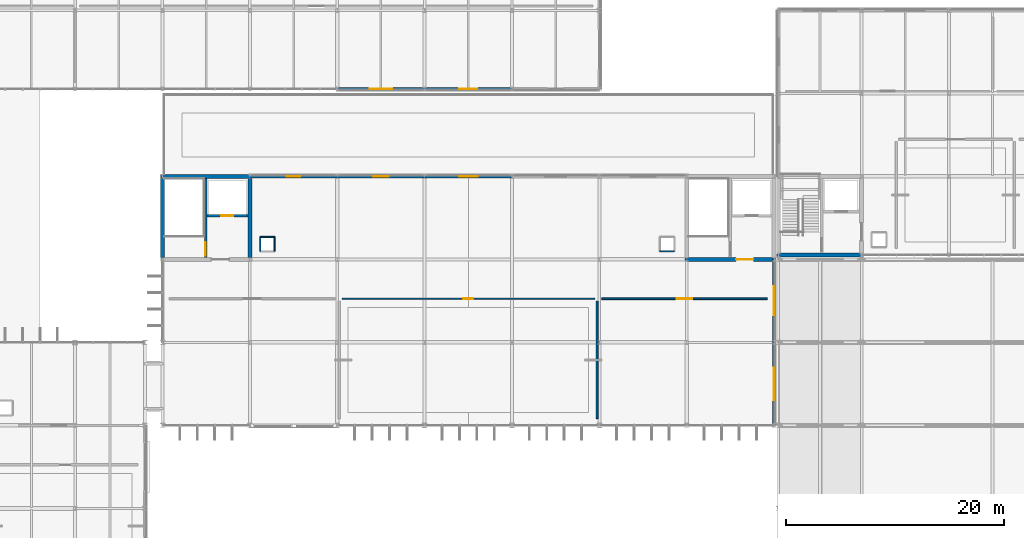
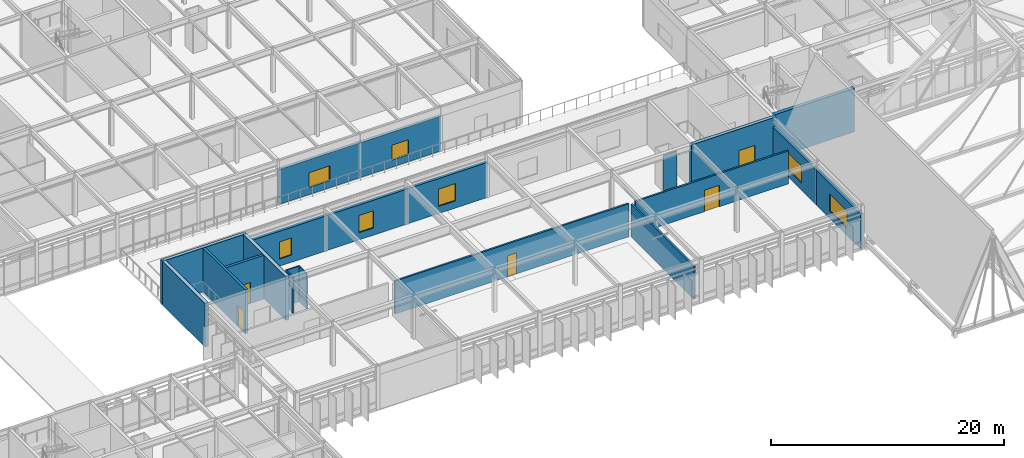
# One storey, part 85 of 100: 21 walls, 7 windows, 5 doors, 12 openings.
"""IFC4 building model written with IfcOpenShell, lengths in metres."""

from ifc_helpers import new_model, si_unit, direction, frame, frame_2d, origin, place, context, subcontext, project, spatial, rectangle, extrude, material, layer, layer_set, type_object, element, fill, save


model = new_model("IFC4")

# Units and contexts
model_context = context("Model", 3, precision=1e-05, world=origin(), true_north=direction((0.0, 1.0)))
body_context = subcontext(model_context, "Body", "Model", "MODEL_VIEW")
ifc_project = project(units=[si_unit("LENGTHUNIT", "METRE"), si_unit("AREAUNIT", "SQUARE_METRE"), si_unit("VOLUMEUNIT", "CUBIC_METRE"), si_unit("PLANEANGLEUNIT", "RADIAN"), si_unit("MASSUNIT", "GRAM", prefix="KILO")], contexts=[model_context])

# Site, building, storey
site_placement = place(None, origin())
site = spatial("IfcSite", under=ifc_project, at=site_placement, CompositionType="ELEMENT")
building_placement = place(site_placement, origin())
building = spatial("IfcBuilding", under=site, at=building_placement, Name="Zulena Civic Courthouse", CompositionType="ELEMENT")
storey_placement = place(building_placement, frame((0.0, 0.0, 20.39990234375)))
storey = spatial("IfcBuildingStorey", under=building, at=storey_placement, Name="L04", CompositionType="ELEMENT", Elevation=20.39990234375)

# Wall, opening, door
ifc_material_1 = material(Name="Concrete C40/50", Category="concrete")
ifc_layer_1 = layer(ifc_material_1, 0.25)
ifc_layer_set_1 = layer_set([ifc_layer_1], Name="Concrete C40/50")
wall_type_1 = type_object("IfcWallType", Name="CoreShearWall_RC250", PredefinedType="SHEAR", material=ifc_layer_set_1)
wall_1_placement = place(storey_placement, frame((71.949951171875, 30.574951171875, 0.0), z_axis=(0.0, 0.0, 1.0), x_axis=(0.0, 1.0, 0.0)))
wall_1 = element("IfcWall", 1, at=wall_1_placement, inside=storey, type_object=wall_type_1, Name="cwall:K4A:L04:DIV", PredefinedType="SHEAR", context=body_context, shape_type="SweptSolid", body=[
    extrude(rectangle(XDim=7.25, YDim=0.25, at=frame_2d((3.625, 0.0))), origin(), (0.0, 0.0, 1.0), 4.590087890625),
])
opening_1_placement = place(wall_1_placement, frame((0.179931640625, 0.0, 0.0)))
opening_1 = element("IfcOpeningElement", 2, at=opening_1_placement, cuts=wall_1, Name="Opening ID07", PredefinedType="OPENING", context=body_context, shape_type="SweptSolid", body=[
    extrude(rectangle(XDim=1.199951171875, YDim=2.199951171875, at=frame_2d((0.60009765625, 1.10009765625))), frame((0.0, 0.135009765625, 0.0), z_axis=(0.0, -1.0, 0.0), x_axis=(1.0, 0.0, 0.0)), (0.0, 0.0, 1.0), 0.27001953125),
])
ifc_material_2 = material(Name="Fire-rated galvanised steel ASTM A653 Grade 50", Category="steel")
door_type_1 = type_object("IfcDoorType", Name="IntDoor_Stair_1200x2200", OperationType="NOTDEFINED", PredefinedType="DOOR", material=ifc_material_2)
door_1_placement = place(opening_1_placement, origin())
door_1 = element("IfcDoor", 3, at=door_1_placement, inside=storey, type_object=door_type_1, Name="door:stair:K4A:L04", OperationType="SINGLE_SWING_LEFT", OverallHeight=2.199951171875, OverallWidth=1.199951171875, PredefinedType="DOOR", context=body_context, shape_type="SweptSolid", body=[
    extrude(rectangle(XDim=1.199951171875, YDim=2.199951171875, at=frame_2d((0.60009765625, 1.10009765625))), frame((0.0, 0.02490234375, 0.0), z_axis=(0.0, -1.0, 0.0), x_axis=(1.0, 0.0, 0.0)), (0.0, 0.0, 1.0), 0.050048828125),
])
fill(opening_1, door_1)

wall_2_placement = place(storey_placement, frame((72.074951171875, 34.39990234375, 0.0), z_axis=(0.0, 0.0, 1.0), x_axis=(1.0, 0.0, 0.0)))
wall_2 = element("IfcWall", 4, at=wall_2_placement, inside=storey, type_object=wall_type_1, Name="cwall:K4A:L04:SHF", PredefinedType="SHEAR", context=body_context, shape_type="SweptSolid", body=[
    extrude(rectangle(XDim=3.75, YDim=0.25, at=frame_2d((1.875, 0.0))), origin(), (0.0, 0.0, 1.0), 4.590087890625),
])
opening_2_placement = place(wall_2_placement, frame((1.320068359375, 0.0, 0.0)))
opening_2 = element("IfcOpeningElement", 5, at=opening_2_placement, cuts=wall_2, Name="Opening LD02", PredefinedType="OPENING", context=body_context, shape_type="SweptSolid", body=[
    extrude(rectangle(XDim=1.10009765625, YDim=2.199951171875, at=frame_2d((0.550048828125, 1.10009765625))), frame((0.0, 0.135009765625, 0.0), z_axis=(0.0, -1.0, 0.0), x_axis=(1.0, 0.0, 0.0)), (0.0, 0.0, 1.0), 0.27001953125),
])
door_type_2 = type_object("IfcDoorType", Name="LiftLandingDoor_Pass_1100x2200", OperationType="SLIDING_TO_LEFT", PredefinedType="DOOR", material=ifc_material_2)
door_2_placement = place(opening_2_placement, origin())
door_2 = element("IfcDoor", 6, at=door_2_placement, inside=storey, type_object=door_type_2, Name="door:ld:PL-03:L04", OperationType="SLIDING_TO_LEFT", OverallHeight=2.199951171875, OverallWidth=1.10009765625, PredefinedType="DOOR", context=body_context, shape_type="SweptSolid", body=[
    extrude(rectangle(XDim=1.10009765625, YDim=2.199951171875, at=frame_2d((0.550048828125, 1.10009765625))), frame((0.0, 0.02490234375, 0.0), z_axis=(0.0, -1.0, 0.0), x_axis=(1.0, 0.0, 0.0)), (0.0, 0.0, 1.0), 0.050048828125),
])
fill(opening_2, door_2)

# Walls
ifc_layer_2 = layer(ifc_material_1, 0.35009765625)
ifc_layer_set_2 = layer_set([ifc_layer_2], Name="Concrete C40/50")
wall_type_2 = type_object("IfcWallType", Name="CoreShearWall_RC350", PredefinedType="SHEAR", material=ifc_layer_set_2)
wall_3_placement = place(storey_placement, frame((124.22509765625, 30.800048828125, 0.0), z_axis=(0.0, 0.0, 1.0), x_axis=(1.0, 0.0, 0.0)))
element("IfcWall", 7, at=wall_3_placement, inside=storey, type_object=wall_type_2, Name="cwall:K3A:L04:S", PredefinedType="SHEAR", context=body_context, shape_type="SweptSolid", body=[
    extrude(rectangle(XDim=7.949951171875, YDim=0.35009765625, at=frame_2d((3.97509765625, 0.0))), origin(), (0.0, 0.0, 1.0), 4.545166015625),
])
wall_4_placement = place(storey_placement, frame((67.824951171875, 38.0, 0.0), z_axis=(0.0, 0.0, 1.0), x_axis=(1.0, 0.0, 0.0)))
element("IfcWall", 8, at=wall_4_placement, inside=storey, type_object=wall_type_2, Name="cwall:K4A:L04:N", PredefinedType="SHEAR", context=body_context, shape_type="SweptSolid", body=[
    extrude(rectangle(XDim=8.35009765625, YDim=0.35009765625, at=frame_2d((4.175048828125, 0.0))), origin(), (0.0, 0.0, 1.0), 4.590087890625),
])
for number, where, z_axis, x_axis, name in (
    (9, (68.0, 30.574951171875, 0.0), (0.0, 0.0, 1.0), (0.0, 1.0, 0.0), "cwall:K4A:L04:W"),
    (10, (76.0, 30.574951171875, 0.0), (0.0, 0.0, 1.0), (0.0, 1.0, 0.0), "cwall:K4A:L04:E"),
):
    element("IfcWall", number, at=place(storey_placement, frame(where, z_axis=z_axis, x_axis=x_axis)), inside=storey, type_object=wall_type_2, Name=name, PredefinedType="SHEAR", context=body_context, shape_type="SweptSolid", body=[
        extrude(rectangle(XDim=7.25, YDim=0.35009765625, at=frame_2d((3.625, 0.0))), origin(), (0.0, 0.0, 1.0), 4.590087890625),
    ])

# Wall, opening, door
wall_5_placement = place(storey_placement, frame((115.824951171875, 30.39990234375, 0.0), z_axis=(0.0, 0.0, 1.0), x_axis=(1.0, 0.0, 0.0)))
wall_5 = element("IfcWall", 11, at=wall_5_placement, inside=storey, type_object=wall_type_2, Name="cwall:K4B:L04:S", PredefinedType="SHEAR", context=body_context, shape_type="SweptSolid", body=[
    extrude(rectangle(XDim=8.35009765625, YDim=0.35009765625, at=frame_2d((4.175048828125, 0.0))), origin(), (0.0, 0.0, 1.0), 4.590087890625),
])
opening_3_placement = place(wall_5_placement, frame((4.68505859375, 0.0, 0.0)))
opening_3 = element("IfcOpeningElement", 12, at=opening_3_placement, cuts=wall_5, Name="Opening ID04", PredefinedType="OPENING", context=body_context, shape_type="SweptSolid", body=[
    extrude(rectangle(XDim=1.60009765625, YDim=2.35009765625, at=frame_2d((0.800048828125, 1.175048828125))), frame((0.0, 0.18505859375, 0.0), z_axis=(0.0, -1.0, 0.0), x_axis=(1.0, 0.0, 0.0)), (0.0, 0.0, 1.0), 0.3701171875),
])
ifc_material_3 = material(Name="Solid-core acoustic hardwood timber", Category="wood")
door_type_3 = type_object("IfcDoorType", Name="IntDoor_CourtPublic_1600x2350", OperationType="DOUBLE_DOOR_SINGLE_SWING", PredefinedType="DOOR", material=ifc_material_3)
door_3_placement = place(opening_3_placement, origin())
door_3 = element("IfcDoor", 13, at=door_3_placement, inside=storey, type_object=door_type_3, Name="door:corelob:K4B:L04", OperationType="DOUBLE_DOOR_SINGLE_SWING", OverallHeight=2.35009765625, OverallWidth=1.60009765625, PredefinedType="DOOR", context=body_context, shape_type="SweptSolid", body=[
    extrude(rectangle(XDim=1.60009765625, YDim=2.35009765625, at=frame_2d((0.800048828125, 1.175048828125))), frame((0.0, 0.02490234375, 0.0), z_axis=(0.0, -1.0, 0.0), x_axis=(1.0, 0.0, 0.0)), (0.0, 0.0, 1.0), 0.050048828125),
])
fill(opening_3, door_3)

# Wall, opening, window
ifc_material_4 = material(Name="Buff architectural precast concrete C40/50", Category="concrete")
ifc_layer_3 = layer(ifc_material_4, 0.264892578125)
ifc_layer_set_3 = layer_set([ifc_layer_3], Name="Buff architectural precast concrete C40/50")
wall_type_3 = type_object("IfcWallType", Name="ExtWall_BuffPrecast_265", PredefinedType="STANDARD", material=ifc_layer_set_3)
wall_6_placement = place(storey_placement, frame((100.02001953125, 46.0, 0.0), z_axis=(0.0, 0.0, 1.0), x_axis=(-1.0, 0.0, 0.0)))
wall_6 = element("IfcWall", 14, at=wall_6_placement, inside=storey, type_object=wall_type_3, Name="ewall:V5:L04:5:1", PredefinedType="STANDARD", context=body_context, shape_type="SweptSolid", body=[
    extrude(rectangle(XDim=8.0400390625, YDim=0.264892578125, at=frame_2d((4.02001953125, 0.0))), origin(), (0.0, 0.0, 1.0), 3.66015625),
])
opening_4_placement = place(wall_6_placement, frame((3.195068359375, 0.0, 0.75)))
opening_4 = element("IfcOpeningElement", 15, at=opening_4_placement, cuts=wall_6, Name="Opening WN25", PredefinedType="OPENING", context=body_context, shape_type="SweptSolid", body=[
    extrude(rectangle(XDim=1.64990234375, YDim=1.550048828125, at=frame_2d((0.824951171875, 0.77490234375))), frame((0.0, 0.142333984375, 0.0), z_axis=(0.0, -1.0, 0.0), x_axis=(1.0, 0.0, 0.0)), (0.0, 0.0, 1.0), 0.284912109375),
])
ifc_material_5 = material(Name="Double-silver low-E laminated solar-control glass", Category="glass")
window_type_1 = type_object("IfcWindowType", Name="Win_1650x1550", PartitioningType="SINGLE_PANEL", PredefinedType="WINDOW", material=ifc_material_5)
window_1_placement = place(opening_4_placement, origin())
window_1 = element("IfcWindow", 16, at=window_1_placement, inside=storey, type_object=window_type_1, Name="win:V5:L04:5:1", OverallHeight=1.550048828125, OverallWidth=1.64990234375, PartitioningType="SINGLE_PANEL", PredefinedType="WINDOW", context=body_context, shape_type="SweptSolid", body=[
    extrude(rectangle(XDim=1.64990234375, YDim=1.550048828125, at=frame_2d((0.824951171875, 0.77490234375))), frame((0.0, 0.030029296875, 0.0), z_axis=(0.0, -1.0, 0.0), x_axis=(1.0, 0.0, 0.0)), (0.0, 0.0, 1.0), 0.06005859375),
])
fill(opening_4, window_1)

wall_7_placement = place(storey_placement, frame((92.02001953125, 46.0, 0.0), z_axis=(0.0, 0.0, 1.0), x_axis=(-1.0, 0.0, 0.0)))
wall_7 = element("IfcWall", 17, at=wall_7_placement, inside=storey, type_object=wall_type_3, Name="ewall:V5:L04:5:2", PredefinedType="STANDARD", context=body_context, shape_type="SweptSolid", body=[
    extrude(rectangle(XDim=8.0400390625, YDim=0.264892578125, at=frame_2d((4.02001953125, 0.0))), origin(), (0.0, 0.0, 1.0), 3.66015625),
])
opening_5_placement = place(wall_7_placement, frame((2.9951171875, 0.0, 0.75)))
opening_5 = element("IfcOpeningElement", 18, at=opening_5_placement, cuts=wall_7, Name="Opening WN26", PredefinedType="OPENING", context=body_context, shape_type="SweptSolid", body=[
    extrude(rectangle(XDim=2.050048828125, YDim=1.550048828125, at=frame_2d((1.02490234375, 0.77490234375))), frame((0.0, 0.142333984375, 0.0), z_axis=(0.0, -1.0, 0.0), x_axis=(1.0, 0.0, 0.0)), (0.0, 0.0, 1.0), 0.284912109375),
])
window_type_2 = type_object("IfcWindowType", Name="Win_2050x1550", PartitioningType="DOUBLE_PANEL_VERTICAL", PredefinedType="WINDOW", material=ifc_material_5)
window_2_placement = place(opening_5_placement, origin())
window_2 = element("IfcWindow", 19, at=window_2_placement, inside=storey, type_object=window_type_2, Name="win:V5:L04:5:2", OverallHeight=1.550048828125, OverallWidth=2.050048828125, PartitioningType="SINGLE_PANEL", PredefinedType="WINDOW", context=body_context, shape_type="SweptSolid", body=[
    extrude(rectangle(XDim=2.050048828125, YDim=1.550048828125, at=frame_2d((1.02490234375, 0.77490234375))), frame((0.0, 0.030029296875, 0.0), z_axis=(0.0, -1.0, 0.0), x_axis=(1.0, 0.0, 0.0)), (0.0, 0.0, 1.0), 0.06005859375),
])
fill(opening_5, window_2)

ifc_material_6 = material(Name="Travertine-cream architectural precast concrete C40/50", Category="masonry")
ifc_layer_4 = layer(ifc_material_6, 0.280029296875)
ifc_layer_set_4 = layer_set([ifc_layer_4], Name="Travertine-cream architectural precast concrete C40/50")
wall_type_4 = type_object("IfcWallType", Name="ExtWall_TravPrecast_280", PredefinedType="STANDARD", material=ifc_layer_set_4)
wall_8_placement = place(storey_placement, frame((75.97998046875, 38.0, 0.0), z_axis=(0.0, 0.0, 1.0), x_axis=(1.0, 0.0, 0.0)))
wall_8 = element("IfcWall", 20, at=wall_8_placement, inside=storey, type_object=wall_type_4, Name="ewall:V4:L04:1:1", PredefinedType="STANDARD", context=body_context, shape_type="SweptSolid", body=[
    extrude(rectangle(XDim=8.0400390625, YDim=0.280029296875, at=frame_2d((4.02001953125, 0.0))), origin(), (0.0, 0.0, 1.0), 3.66015625),
])
opening_6_placement = place(wall_8_placement, frame((3.419921875, 0.0, 0.75)))
opening_6 = element("IfcOpeningElement", 21, at=opening_6_placement, cuts=wall_8, Name="Opening WN16", PredefinedType="OPENING", context=body_context, shape_type="SweptSolid", body=[
    extrude(rectangle(XDim=1.199951171875, YDim=1.800048828125, at=frame_2d((0.60009765625, 0.89990234375))), frame((0.0, 0.14990234375, 0.0), z_axis=(0.0, -1.0, 0.0), x_axis=(1.0, 0.0, 0.0)), (0.0, 0.0, 1.0), 0.300048828125),
])
window_type_3 = type_object("IfcWindowType", Name="Win_1200x1800", PartitioningType="SINGLE_PANEL", PredefinedType="WINDOW", material=ifc_material_5)
window_3_placement = place(opening_6_placement, origin())
window_3 = element("IfcWindow", 22, at=window_3_placement, inside=storey, type_object=window_type_3, Name="win:V4:L04:1:1", OverallHeight=1.800048828125, OverallWidth=1.199951171875, PartitioningType="SINGLE_PANEL", PredefinedType="WINDOW", context=body_context, shape_type="SweptSolid", body=[
    extrude(rectangle(XDim=1.199951171875, YDim=1.800048828125, at=frame_2d((0.60009765625, 0.89990234375))), frame((0.0, 0.030029296875, 0.0), z_axis=(0.0, -1.0, 0.0), x_axis=(1.0, 0.0, 0.0)), (0.0, 0.0, 1.0), 0.06005859375),
])
fill(opening_6, window_3)

wall_9_placement = place(storey_placement, frame((83.97998046875, 38.0, 0.0), z_axis=(0.0, 0.0, 1.0), x_axis=(1.0, 0.0, 0.0)))
wall_9 = element("IfcWall", 23, at=wall_9_placement, inside=storey, type_object=wall_type_4, Name="ewall:V4:L04:1:2", PredefinedType="STANDARD", context=body_context, shape_type="SweptSolid", body=[
    extrude(rectangle(XDim=8.0400390625, YDim=0.280029296875, at=frame_2d((4.02001953125, 0.0))), origin(), (0.0, 0.0, 1.0), 3.66015625),
])
opening_7_placement = place(wall_9_placement, frame((3.294921875, 0.0, 0.75)))
opening_7 = element("IfcOpeningElement", 24, at=opening_7_placement, cuts=wall_9, Name="Opening WN17", PredefinedType="OPENING", context=body_context, shape_type="SweptSolid", body=[
    extrude(rectangle(XDim=1.449951171875, YDim=1.800048828125, at=frame_2d((0.72509765625, 0.89990234375))), frame((0.0, 0.14990234375, 0.0), z_axis=(0.0, -1.0, 0.0), x_axis=(1.0, 0.0, 0.0)), (0.0, 0.0, 1.0), 0.300048828125),
])
window_type_4 = type_object("IfcWindowType", Name="Win_1450x1800", PartitioningType="SINGLE_PANEL", PredefinedType="WINDOW", material=ifc_material_5)
window_4_placement = place(opening_7_placement, origin())
window_4 = element("IfcWindow", 25, at=window_4_placement, inside=storey, type_object=window_type_4, Name="win:V4:L04:1:2", OverallHeight=1.800048828125, OverallWidth=1.449951171875, PartitioningType="SINGLE_PANEL", PredefinedType="WINDOW", context=body_context, shape_type="SweptSolid", body=[
    extrude(rectangle(XDim=1.449951171875, YDim=1.800048828125, at=frame_2d((0.72509765625, 0.89990234375))), frame((0.0, 0.030029296875, 0.0), z_axis=(0.0, -1.0, 0.0), x_axis=(1.0, 0.0, 0.0)), (0.0, 0.0, 1.0), 0.06005859375),
])
fill(opening_7, window_4)

wall_10_placement = place(storey_placement, frame((91.97998046875, 38.0, 0.0), z_axis=(0.0, 0.0, 1.0), x_axis=(1.0, 0.0, 0.0)))
wall_10 = element("IfcWall", 26, at=wall_10_placement, inside=storey, type_object=wall_type_4, Name="ewall:V4:L04:1:3", PredefinedType="STANDARD", context=body_context, shape_type="SweptSolid", body=[
    extrude(rectangle(XDim=8.0400390625, YDim=0.280029296875, at=frame_2d((4.02001953125, 0.0))), origin(), (0.0, 0.0, 1.0), 3.66015625),
])
opening_8_placement = place(wall_10_placement, frame((3.169921875, 0.0, 0.75)))
opening_8 = element("IfcOpeningElement", 27, at=opening_8_placement, cuts=wall_10, Name="Opening WN18", PredefinedType="OPENING", context=body_context, shape_type="SweptSolid", body=[
    extrude(rectangle(XDim=1.699951171875, YDim=1.800048828125, at=frame_2d((0.85009765625, 0.89990234375))), frame((0.0, 0.14990234375, 0.0), z_axis=(0.0, -1.0, 0.0), x_axis=(1.0, 0.0, 0.0)), (0.0, 0.0, 1.0), 0.300048828125),
])
window_type_5 = type_object("IfcWindowType", Name="Win_1700x1800", PartitioningType="SINGLE_PANEL", PredefinedType="WINDOW", material=ifc_material_5)
window_5_placement = place(opening_8_placement, origin())
window_5 = element("IfcWindow", 28, at=window_5_placement, inside=storey, type_object=window_type_5, Name="win:V4:L04:1:3", OverallHeight=1.800048828125, OverallWidth=1.699951171875, PartitioningType="SINGLE_PANEL", PredefinedType="WINDOW", context=body_context, shape_type="SweptSolid", body=[
    extrude(rectangle(XDim=1.699951171875, YDim=1.800048828125, at=frame_2d((0.85009765625, 0.89990234375))), frame((0.0, 0.030029296875, 0.0), z_axis=(0.0, -1.0, 0.0), x_axis=(1.0, 0.0, 0.0)), (0.0, 0.0, 1.0), 0.06005859375),
])
fill(opening_8, window_5)

wall_11_placement = place(storey_placement, frame((124.0, 30.419921875, 0.0), z_axis=(0.0, 0.0, 1.0), x_axis=(0.0, -1.0, 0.0)))
wall_11 = element("IfcWall", 29, at=wall_11_placement, inside=storey, type_object=wall_type_4, Name="ewall:V4:L04:2:1", PredefinedType="STANDARD", context=body_context, shape_type="SweptSolid", body=[
    extrude(rectangle(XDim=7.639892578125, YDim=0.280029296875, at=frame_2d((3.81982421875, 0.0))), origin(), (0.0, 0.0, 1.0), 3.66015625),
])
opening_9_placement = place(wall_11_placement, frame((2.4951171875, 0.0, 0.75)))
opening_9 = element("IfcOpeningElement", 30, at=opening_9_placement, cuts=wall_11, Name="Opening WN21", PredefinedType="OPENING", context=body_context, shape_type="SweptSolid", body=[
    extrude(rectangle(XDim=2.64990234375, YDim=1.800048828125, at=frame_2d((1.324951171875, 0.89990234375))), frame((0.0, 0.14990234375, 0.0), z_axis=(0.0, -1.0, 0.0), x_axis=(1.0, 0.0, 0.0)), (0.0, 0.0, 1.0), 0.300048828125),
])
window_type_6 = type_object("IfcWindowType", Name="Win_2650x1800", PartitioningType="DOUBLE_PANEL_VERTICAL", PredefinedType="WINDOW", material=ifc_material_5)
window_6_placement = place(opening_9_placement, origin())
window_6 = element("IfcWindow", 31, at=window_6_placement, inside=storey, type_object=window_type_6, Name="win:V4:L04:2:1", OverallHeight=1.800048828125, OverallWidth=2.64990234375, PartitioningType="SINGLE_PANEL", PredefinedType="WINDOW", context=body_context, shape_type="SweptSolid", body=[
    extrude(rectangle(XDim=2.64990234375, YDim=1.800048828125, at=frame_2d((1.324951171875, 0.89990234375))), frame((0.0, 0.030029296875, 0.0), z_axis=(0.0, -1.0, 0.0), x_axis=(1.0, 0.0, 0.0)), (0.0, 0.0, 1.0), 0.06005859375),
])
fill(opening_9, window_6)

wall_12_placement = place(storey_placement, frame((124.0, 22.820068359375, 0.0), z_axis=(0.0, 0.0, 1.0), x_axis=(0.0, -1.0, 0.0)))
wall_12 = element("IfcWall", 32, at=wall_12_placement, inside=storey, type_object=wall_type_4, Name="ewall:V4:L04:2:2", PredefinedType="STANDARD", context=body_context, shape_type="SweptSolid", body=[
    extrude(rectangle(XDim=7.64013671875, YDim=0.280029296875, at=frame_2d((3.820068359375, 0.0))), origin(), (0.0, 0.0, 1.0), 3.66015625),
])
opening_10_placement = place(wall_12_placement, frame((2.320068359375, 0.0, 0.75)))
opening_10 = element("IfcOpeningElement", 33, at=opening_10_placement, cuts=wall_12, Name="Opening WN22", PredefinedType="OPENING", context=body_context, shape_type="SweptSolid", body=[
    extrude(rectangle(XDim=3.0, YDim=1.800048828125, at=frame_2d((1.5, 0.89990234375))), frame((0.0, 0.14990234375, 0.0), z_axis=(0.0, -1.0, 0.0), x_axis=(1.0, 0.0, 0.0)), (0.0, 0.0, 1.0), 0.300048828125),
])
window_type_7 = type_object("IfcWindowType", Name="Win_3000x1800", PartitioningType="DOUBLE_PANEL_VERTICAL", PredefinedType="WINDOW", material=ifc_material_5)
window_7_placement = place(opening_10_placement, origin())
window_7 = element("IfcWindow", 34, at=window_7_placement, inside=storey, type_object=window_type_7, Name="win:V4:L04:2:2", OverallHeight=1.800048828125, OverallWidth=3.0, PartitioningType="SINGLE_PANEL", PredefinedType="WINDOW", context=body_context, shape_type="SweptSolid", body=[
    extrude(rectangle(XDim=3.0, YDim=1.800048828125, at=frame_2d((1.5, 0.89990234375))), frame((0.0, 0.030029296875, 0.0), z_axis=(0.0, -1.0, 0.0), x_axis=(1.0, 0.0, 0.0)), (0.0, 0.0, 1.0), 0.06005859375),
])
fill(opening_10, window_7)

# Wall, opening, door
ifc_material_7 = material(Name="Acoustic fire-rated gypsum board assembly", Category="masonry")
ifc_layer_5 = layer(ifc_material_7, 0.177978515625)
ifc_layer_set_5 = layer_set([ifc_layer_5], Name="Acoustic fire-rated gypsum board assembly")
wall_type_5 = type_object("IfcWallType", Name="PartWall_Corridor_178", PredefinedType="PARTITIONING", material=ifc_layer_set_5)
wall_13_placement = place(storey_placement, frame((84.419921875, 26.800048828125, 0.0), z_axis=(0.0, 0.0, 1.0), x_axis=(1.0, 0.0, 0.0)))
wall_13 = element("IfcWall", 35, at=wall_13_placement, inside=storey, type_object=wall_type_5, Name="pwall:L04:255:0", PredefinedType="PARTITIONING", context=body_context, shape_type="SweptSolid", body=[
    extrude(rectangle(XDim=23.16015625, YDim=0.177978515625, at=frame_2d((11.580078125, 0.0))), origin(), (0.0, 0.0, 1.0), 3.4501953125),
])
opening_11_placement = place(wall_13_placement, frame((11.1201171875, 0.0, 0.0)))
opening_11 = element("IfcOpeningElement", 36, at=opening_11_placement, cuts=wall_13, Name="Opening ID15", PredefinedType="OPENING", context=body_context, shape_type="SweptSolid", body=[
    extrude(rectangle(XDim=0.919921875, YDim=2.199951171875, at=frame_2d((0.4599609375, 1.10009765625))), frame((0.0, 0.098876953125, 0.0), z_axis=(0.0, -1.0, 0.0), x_axis=(1.0, 0.0, 0.0)), (0.0, 0.0, 1.0), 0.197998046875),
])
door_type_4 = type_object("IfcDoorType", Name="IntDoor_Chambers_920x2200", OperationType="NOTDEFINED", PredefinedType="DOOR", material=ifc_material_3)
door_4_placement = place(opening_11_placement, origin())
door_4 = element("IfcDoor", 37, at=door_4_placement, inside=storey, type_object=door_type_4, Name="door:rm:L04:255", OperationType="SINGLE_SWING_LEFT", OverallHeight=2.199951171875, OverallWidth=0.919921875, PredefinedType="DOOR", context=body_context, shape_type="SweptSolid", body=[
    extrude(rectangle(XDim=0.919921875, YDim=2.199951171875, at=frame_2d((0.4599609375, 1.10009765625))), frame((0.0, 0.02490234375, 0.0), z_axis=(0.0, -1.0, 0.0), x_axis=(1.0, 0.0, 0.0)), (0.0, 0.0, 1.0), 0.050048828125),
])
fill(opening_11, door_4)

# Wall
wall_14_placement = place(storey_placement, frame((107.800048828125, 15.820068359375, 0.0), z_axis=(0.0, 0.0, 1.0), x_axis=(0.0, 1.0, 0.0)))
element("IfcWall", 38, at=wall_14_placement, inside=storey, type_object=wall_type_5, Name="pwall:L04:255:1", PredefinedType="PARTITIONING", context=body_context, shape_type="SweptSolid", body=[
    extrude(rectangle(XDim=10.760009765625, YDim=0.177978515625, at=frame_2d((5.3798828125, 0.0))), origin(), (0.0, 0.0, 1.0), 3.4501953125),
])

# Wall, opening, door
wall_15_placement = place(storey_placement, frame((108.219970703125, 26.800048828125, 0.0), z_axis=(0.0, 0.0, 1.0), x_axis=(1.0, 0.0, 0.0)))
wall_15 = element("IfcWall", 39, at=wall_15_placement, inside=storey, type_object=wall_type_5, Name="pwall:L04:257:0", PredefinedType="PARTITIONING", context=body_context, shape_type="SweptSolid", body=[
    extrude(rectangle(XDim=15.159912109375, YDim=0.177978515625, at=frame_2d((7.580078125, 0.0))), origin(), (0.0, 0.0, 1.0), 3.4501953125),
])
opening_12_placement = place(wall_15_placement, frame((6.85498046875, 0.0, 0.0)))
opening_12 = element("IfcOpeningElement", 40, at=opening_12_placement, cuts=wall_15, Name="Opening ID17", PredefinedType="OPENING", context=body_context, shape_type="SweptSolid", body=[
    extrude(rectangle(XDim=1.449951171875, YDim=2.25, at=frame_2d((0.72509765625, 1.125))), frame((0.0, 0.098876953125, 0.0), z_axis=(0.0, -1.0, 0.0), x_axis=(1.0, 0.0, 0.0)), (0.0, 0.0, 1.0), 0.197998046875),
])
door_type_5 = type_object("IfcDoorType", Name="IntDoor_Registry_1450x2250", OperationType="DOUBLE_DOOR_SINGLE_SWING", PredefinedType="DOOR", material=ifc_material_3)
door_5_placement = place(opening_12_placement, origin())
door_5 = element("IfcDoor", 41, at=door_5_placement, inside=storey, type_object=door_type_5, Name="door:rm:L04:257", OperationType="DOUBLE_DOOR_SINGLE_SWING", OverallHeight=2.25, OverallWidth=1.449951171875, PredefinedType="DOOR", context=body_context, shape_type="SweptSolid", body=[
    extrude(rectangle(XDim=1.449951171875, YDim=2.25, at=frame_2d((0.72509765625, 1.125))), frame((0.0, 0.02490234375, 0.0), z_axis=(0.0, -1.0, 0.0), x_axis=(1.0, 0.0, 0.0)), (0.0, 0.0, 1.0), 0.050048828125),
])
fill(opening_12, door_5)

# Walls
ifc_material_8 = material(Name="Insulated blockwork masonry ASTM C90", Category="masonry")
ifc_layer_6 = layer(ifc_material_8, 0.114990234375)
ifc_layer_set_6 = layer_set([ifc_layer_6], Name="Insulated blockwork masonry ASTM C90")
wall_type_6 = type_object("IfcWallType", Name="PartWall_Riser_115", PredefinedType="PARTITIONING", material=ifc_layer_set_6)
for number, where, z_axis, x_axis, name in (
    (42, (78.260009765625, 31.139892578125, 0.0), (0.0, 0.0, 1.0), (0.0, 1.0, 0.0), "riser:RS-V4W:L04:1"),
    (43, (78.260009765625, 32.4599609375, 0.0), (0.0, 0.0, 1.0), (-1.0, 0.0, 0.0), "riser:RS-V4W:L04:2"),
    (44, (76.93994140625, 32.4599609375, 0.0), (0.0, 0.0, 1.0), (0.0, -1.0, 0.0), "riser:RS-V4W:L04:3"),
    (45, (113.5400390625, 31.139892578125, 0.0), (0.0, 0.0, 1.0), (1.0, 0.0, 0.0), "riser:RS-V4E:L04:0"),
):
    element("IfcWall", number, at=place(storey_placement, frame(where, z_axis=z_axis, x_axis=x_axis)), inside=storey, type_object=wall_type_6, Name=name, PredefinedType="PARTITIONING", context=body_context, shape_type="SweptSolid", body=[
        extrude(rectangle(XDim=1.320068359375, YDim=0.114990234375, at=frame_2d((0.66015625, 0.0))), origin(), (0.0, 0.0, 1.0), 3.75),
    ])

save(model, "model.ifc")
